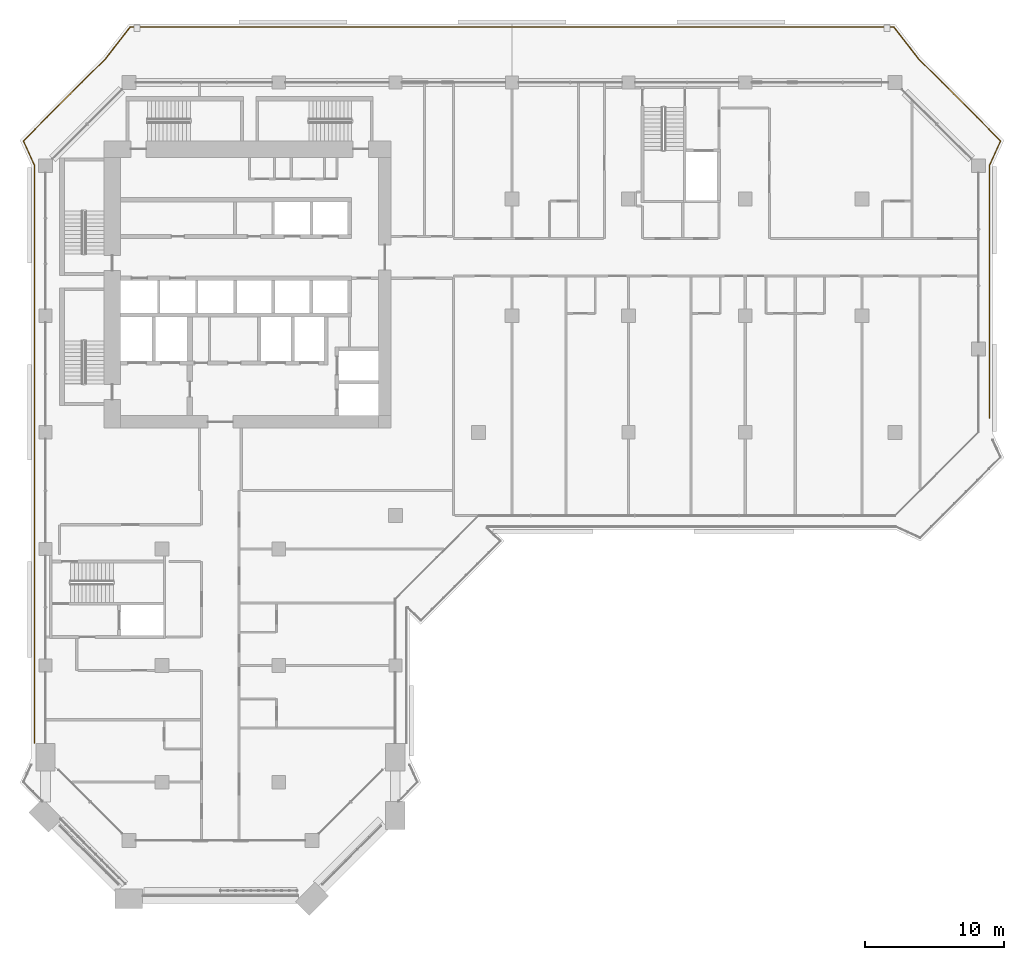
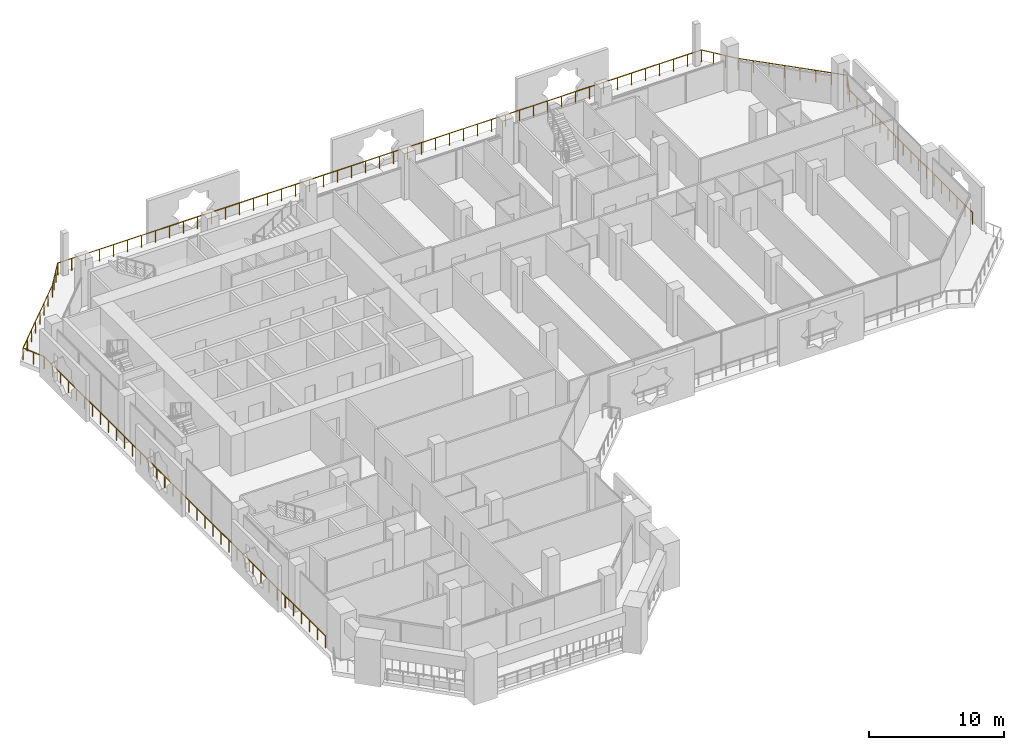
# One storey, part 20 of 22: 1 railing.
"""IFC4 building model written with IfcOpenShell, lengths in metres."""

from ifc_helpers import new_model, si_unit, direction, frame, origin, origin_2d, place, context, subcontext, project, spatial, circle, extrude, material, type_object, element, save


model = new_model("IFC4")

# Units and contexts
model_context = context("Model", 3, precision=1e-05, world=origin(), true_north=direction((0.0, 1.0)))
body_context = subcontext(model_context, "Body", "Model", "MODEL_VIEW")
ifc_project = project(units=[si_unit("LENGTHUNIT", "METRE"), si_unit("AREAUNIT", "SQUARE_METRE"), si_unit("VOLUMEUNIT", "CUBIC_METRE"), si_unit("PLANEANGLEUNIT", "RADIAN"), si_unit("MASSUNIT", "GRAM", prefix="KILO")], contexts=[model_context])

# Site, building, storey
site_placement = place(None, origin())
site = spatial("IfcSite", under=ifc_project, at=site_placement, CompositionType="ELEMENT")
building_placement = place(site_placement, origin())
building = spatial("IfcBuilding", under=site, at=building_placement, Name="Kawkab Arch Medical Tower", CompositionType="ELEMENT")
storey_placement = place(building_placement, frame((0.0, 0.0, 171.0)))
storey = spatial("IfcBuildingStorey", under=building, at=storey_placement, Name="L39", CompositionType="ELEMENT", Elevation=171.0)

# Railing
ifc_material = material(Name="Bronze anodised aluminium guard", Category="aluminium")
railing_type = type_object("IfcRailingType", Name="Loggia and terrace guard 1100", PredefinedType="GUARDRAIL", material=ifc_material)
railing_placement = place(storey_placement, frame((-0.800048828125, -47.570068359375, 0.0)))
element("IfcRailing", 1, at=railing_placement, inside=storey, type_object=railing_type, Name="Guard L39.LOG-01.1.2", PredefinedType="GUARDRAIL", context=body_context, shape_type="SweptSolid", body=[
    extrude(circle(Radius=0.02392578125, at=origin_2d()), frame((0.0, 0.0, 1.076171875), z_axis=(0.0, 1.0, 0.0), x_axis=(-1.0, 0.0, 0.0)), (0.0, 0.0, 1.0), 41.613037109375),
    extrude(circle(Radius=0.02392578125, at=origin_2d()), frame((0.0, 41.613037109375, 1.076171875), z_axis=(-0.414452581809, 0.910070907914, 0.0), x_axis=(-0.910070907914, -0.414452581809, 0.0)), (0.0, 0.0, 1.0), 1.925048828125),
    extrude(circle(Radius=0.02392578125, at=origin_2d()), frame((-0.7978515625, 43.364990234375, 1.076171875), z_axis=(0.707092175918, 0.707121386154, 0.0), x_axis=(-0.707121386154, 0.707092175918, 0.0)), (0.0, 0.0, 1.0), 8.358154296875),
    extrude(circle(Radius=0.02392578125, at=origin_2d()), frame((5.112060546875, 49.275146484375, 1.076171875), z_axis=(0.614144026922, 0.789193964876, 0.0), x_axis=(-0.789193964876, 0.614144026922, 0.0)), (0.0, 0.0, 1.0), 2.907958984375),
    extrude(circle(Radius=0.02392578125, at=origin_2d()), frame((6.89794921875, 51.570068359375, 1.076171875), z_axis=(1.0, 0.0, 0.0), x_axis=(0.0, 1.0, 0.0)), (0.0, 0.0, 1.0), 55.004150390625),
    extrude(circle(Radius=0.02392578125, at=origin_2d()), frame((61.902099609375, 51.570068359375, 1.076171875), z_axis=(0.614144026922, -0.789193964876, 0.0), x_axis=(0.789193964876, 0.614144026922, 0.0)), (0.0, 0.0, 1.0), 2.907958984375),
    extrude(circle(Radius=0.02392578125, at=origin_2d()), frame((63.68798828125, 49.275146484375, 1.076171875), z_axis=(0.707106781187, -0.707106781187, 0.0), x_axis=(0.707106781187, 0.707106781187, 0.0)), (0.0, 0.0, 1.0), 8.358154296875),
    extrude(circle(Radius=0.02392578125, at=origin_2d()), frame((69.59814453125, 43.364990234375, 1.076171875), z_axis=(-0.414557610759, -0.910023069687, 0.0), x_axis=(0.910023069687, -0.414557610759, 0.0)), (0.0, 0.0, 1.0), 1.92529296875),
    extrude(circle(Radius=0.02392578125, at=origin_2d()), frame((68.800048828125, 41.613037109375, 1.076171875), z_axis=(0.0, -1.0, 0.0), x_axis=(1.0, 0.0, 0.0)), (0.0, 0.0, 1.0), 18.212890625),
    extrude(circle(Radius=0.02099609375, at=origin_2d()), origin(), (0.0, 0.0, 1.0), 1.052001953125),
    extrude(circle(Radius=0.02099609375, at=origin_2d()), frame((0.0, 1.18896484375, 0.0)), (0.0, 0.0, 1.0), 1.052001953125),
    extrude(circle(Radius=0.02099609375, at=origin_2d()), frame((0.0, 2.3779296875, 0.0)), (0.0, 0.0, 1.0), 1.052001953125),
    extrude(circle(Radius=0.02099609375, at=origin_2d()), frame((0.0, 3.56689453125, 0.0)), (0.0, 0.0, 1.0), 1.052001953125),
    extrude(circle(Radius=0.02099609375, at=origin_2d()), frame((0.0, 4.755859375, 0.0)), (0.0, 0.0, 1.0), 1.052001953125),
    extrude(circle(Radius=0.02099609375, at=origin_2d()), frame((0.0, 5.94482421875, 0.0)), (0.0, 0.0, 1.0), 1.052001953125),
    extrude(circle(Radius=0.02099609375, at=origin_2d()), frame((0.0, 7.133544921875, 0.0)), (0.0, 0.0, 1.0), 1.052001953125),
    extrude(circle(Radius=0.02099609375, at=origin_2d()), frame((0.0, 8.322509765625, 0.0)), (0.0, 0.0, 1.0), 1.052001953125),
    extrude(circle(Radius=0.02099609375, at=origin_2d()), frame((0.0, 9.511474609375, 0.0)), (0.0, 0.0, 1.0), 1.052001953125),
    extrude(circle(Radius=0.02099609375, at=origin_2d()), frame((0.0, 10.700439453125, 0.0)), (0.0, 0.0, 1.0), 1.052001953125),
    extrude(circle(Radius=0.02099609375, at=origin_2d()), frame((0.0, 11.889404296875, 0.0)), (0.0, 0.0, 1.0), 1.052001953125),
    extrude(circle(Radius=0.02099609375, at=origin_2d()), frame((0.0, 13.078369140625, 0.0)), (0.0, 0.0, 1.0), 1.052001953125),
    extrude(circle(Radius=0.02099609375, at=origin_2d()), frame((0.0, 14.267333984375, 0.0)), (0.0, 0.0, 1.0), 1.052001953125),
    extrude(circle(Radius=0.02099609375, at=origin_2d()), frame((0.0, 15.456298828125, 0.0)), (0.0, 0.0, 1.0), 1.052001953125),
    extrude(circle(Radius=0.02099609375, at=origin_2d()), frame((0.0, 16.645263671875, 0.0)), (0.0, 0.0, 1.0), 1.052001953125),
    extrude(circle(Radius=0.02099609375, at=origin_2d()), frame((0.0, 17.834228515625, 0.0)), (0.0, 0.0, 1.0), 1.052001953125),
    extrude(circle(Radius=0.02099609375, at=origin_2d()), frame((0.0, 19.023193359375, 0.0)), (0.0, 0.0, 1.0), 1.052001953125),
    extrude(circle(Radius=0.02099609375, at=origin_2d()), frame((0.0, 20.212158203125, 0.0)), (0.0, 0.0, 1.0), 1.052001953125),
    extrude(circle(Radius=0.02099609375, at=origin_2d()), frame((0.0, 21.40087890625, 0.0)), (0.0, 0.0, 1.0), 1.052001953125),
    extrude(circle(Radius=0.02099609375, at=origin_2d()), frame((0.0, 22.58984375, 0.0)), (0.0, 0.0, 1.0), 1.052001953125),
    extrude(circle(Radius=0.02099609375, at=origin_2d()), frame((0.0, 23.77880859375, 0.0)), (0.0, 0.0, 1.0), 1.052001953125),
    extrude(circle(Radius=0.02099609375, at=origin_2d()), frame((0.0, 24.9677734375, 0.0)), (0.0, 0.0, 1.0), 1.052001953125),
    extrude(circle(Radius=0.02099609375, at=origin_2d()), frame((0.0, 26.15673828125, 0.0)), (0.0, 0.0, 1.0), 1.052001953125),
    extrude(circle(Radius=0.02099609375, at=origin_2d()), frame((0.0, 27.345703125, 0.0)), (0.0, 0.0, 1.0), 1.052001953125),
    extrude(circle(Radius=0.02099609375, at=origin_2d()), frame((0.0, 28.53466796875, 0.0)), (0.0, 0.0, 1.0), 1.052001953125),
    extrude(circle(Radius=0.02099609375, at=origin_2d()), frame((0.0, 29.7236328125, 0.0)), (0.0, 0.0, 1.0), 1.052001953125),
    extrude(circle(Radius=0.02099609375, at=origin_2d()), frame((0.0, 30.91259765625, 0.0)), (0.0, 0.0, 1.0), 1.052001953125),
    extrude(circle(Radius=0.02099609375, at=origin_2d()), frame((0.0, 32.1015625, 0.0)), (0.0, 0.0, 1.0), 1.052001953125),
    extrude(circle(Radius=0.02099609375, at=origin_2d()), frame((0.0, 33.29052734375, 0.0)), (0.0, 0.0, 1.0), 1.052001953125),
    extrude(circle(Radius=0.02099609375, at=origin_2d()), frame((0.0, 34.4794921875, 0.0)), (0.0, 0.0, 1.0), 1.052001953125),
    extrude(circle(Radius=0.02099609375, at=origin_2d()), frame((0.0, 35.668212890625, 0.0)), (0.0, 0.0, 1.0), 1.052001953125),
    extrude(circle(Radius=0.02099609375, at=origin_2d()), frame((0.0, 36.857177734375, 0.0)), (0.0, 0.0, 1.0), 1.052001953125),
    extrude(circle(Radius=0.02099609375, at=origin_2d()), frame((0.0, 38.046142578125, 0.0)), (0.0, 0.0, 1.0), 1.052001953125),
    extrude(circle(Radius=0.02099609375, at=origin_2d()), frame((0.0, 39.235107421875, 0.0)), (0.0, 0.0, 1.0), 1.052001953125),
    extrude(circle(Radius=0.02099609375, at=origin_2d()), frame((0.0, 40.424072265625, 0.0)), (0.0, 0.0, 1.0), 1.052001953125),
    extrude(circle(Radius=0.02099609375, at=origin_2d()), frame((0.0, 41.613037109375, 0.0)), (0.0, 0.0, 1.0), 1.052001953125),
    extrude(circle(Radius=0.02099609375, at=origin_2d()), frame((-0.39892578125, 42.489013671875, 0.0)), (0.0, 0.0, 1.0), 1.052001953125),
    extrude(circle(Radius=0.02099609375, at=origin_2d()), frame((-0.7978515625, 43.364990234375, 0.0)), (0.0, 0.0, 1.0), 1.052001953125),
    extrude(circle(Radius=0.02099609375, at=origin_2d()), frame((0.04638671875, 44.209228515625, 0.0)), (0.0, 0.0, 1.0), 1.052001953125),
    extrude(circle(Radius=0.02099609375, at=origin_2d()), frame((0.890625, 45.0537109375, 0.0)), (0.0, 0.0, 1.0), 1.052001953125),
    extrude(circle(Radius=0.02099609375, at=origin_2d()), frame((1.73486328125, 45.89794921875, 0.0)), (0.0, 0.0, 1.0), 1.052001953125),
    extrude(circle(Radius=0.02099609375, at=origin_2d()), frame((2.579345703125, 46.7421875, 0.0)), (0.0, 0.0, 1.0), 1.052001953125),
    extrude(circle(Radius=0.02099609375, at=origin_2d()), frame((3.423583984375, 47.58642578125, 0.0)), (0.0, 0.0, 1.0), 1.052001953125),
    extrude(circle(Radius=0.02099609375, at=origin_2d()), frame((4.267822265625, 48.430908203125, 0.0)), (0.0, 0.0, 1.0), 1.052001953125),
    extrude(circle(Radius=0.02099609375, at=origin_2d()), frame((5.112060546875, 49.275146484375, 0.0)), (0.0, 0.0, 1.0), 1.052001953125),
    extrude(circle(Radius=0.02099609375, at=origin_2d()), frame((5.707275390625, 50.0400390625, 0.0)), (0.0, 0.0, 1.0), 1.052001953125),
    extrude(circle(Radius=0.02099609375, at=origin_2d()), frame((6.302734375, 50.80517578125, 0.0)), (0.0, 0.0, 1.0), 1.052001953125),
    extrude(circle(Radius=0.02099609375, at=origin_2d()), frame((6.89794921875, 51.570068359375, 0.0)), (0.0, 0.0, 1.0), 1.052001953125),
    extrude(circle(Radius=0.02099609375, at=origin_2d()), frame((8.09375, 51.570068359375, 0.0)), (0.0, 0.0, 1.0), 1.052001953125),
    extrude(circle(Radius=0.02099609375, at=origin_2d()), frame((9.28955078125, 51.570068359375, 0.0)), (0.0, 0.0, 1.0), 1.052001953125),
    extrude(circle(Radius=0.02099609375, at=origin_2d()), frame((10.485107421875, 51.570068359375, 0.0)), (0.0, 0.0, 1.0), 1.052001953125),
    extrude(circle(Radius=0.02099609375, at=origin_2d()), frame((11.680908203125, 51.570068359375, 0.0)), (0.0, 0.0, 1.0), 1.052001953125),
    extrude(circle(Radius=0.02099609375, at=origin_2d()), frame((12.876708984375, 51.570068359375, 0.0)), (0.0, 0.0, 1.0), 1.052001953125),
    extrude(circle(Radius=0.02099609375, at=origin_2d()), frame((14.072509765625, 51.570068359375, 0.0)), (0.0, 0.0, 1.0), 1.052001953125),
    extrude(circle(Radius=0.02099609375, at=origin_2d()), frame((15.26806640625, 51.570068359375, 0.0)), (0.0, 0.0, 1.0), 1.052001953125),
    extrude(circle(Radius=0.02099609375, at=origin_2d()), frame((16.4638671875, 51.570068359375, 0.0)), (0.0, 0.0, 1.0), 1.052001953125),
    extrude(circle(Radius=0.02099609375, at=origin_2d()), frame((17.65966796875, 51.570068359375, 0.0)), (0.0, 0.0, 1.0), 1.052001953125),
    extrude(circle(Radius=0.02099609375, at=origin_2d()), frame((18.85546875, 51.570068359375, 0.0)), (0.0, 0.0, 1.0), 1.052001953125),
    extrude(circle(Radius=0.02099609375, at=origin_2d()), frame((20.051025390625, 51.570068359375, 0.0)), (0.0, 0.0, 1.0), 1.052001953125),
    extrude(circle(Radius=0.02099609375, at=origin_2d()), frame((21.246826171875, 51.570068359375, 0.0)), (0.0, 0.0, 1.0), 1.052001953125),
    extrude(circle(Radius=0.02099609375, at=origin_2d()), frame((22.442626953125, 51.570068359375, 0.0)), (0.0, 0.0, 1.0), 1.052001953125),
    extrude(circle(Radius=0.02099609375, at=origin_2d()), frame((23.638427734375, 51.570068359375, 0.0)), (0.0, 0.0, 1.0), 1.052001953125),
    extrude(circle(Radius=0.02099609375, at=origin_2d()), frame((24.833984375, 51.570068359375, 0.0)), (0.0, 0.0, 1.0), 1.052001953125),
    extrude(circle(Radius=0.02099609375, at=origin_2d()), frame((26.02978515625, 51.570068359375, 0.0)), (0.0, 0.0, 1.0), 1.052001953125),
    extrude(circle(Radius=0.02099609375, at=origin_2d()), frame((27.2255859375, 51.570068359375, 0.0)), (0.0, 0.0, 1.0), 1.052001953125),
    extrude(circle(Radius=0.02099609375, at=origin_2d()), frame((28.42138671875, 51.570068359375, 0.0)), (0.0, 0.0, 1.0), 1.052001953125),
    extrude(circle(Radius=0.02099609375, at=origin_2d()), frame((29.616943359375, 51.570068359375, 0.0)), (0.0, 0.0, 1.0), 1.052001953125),
    extrude(circle(Radius=0.02099609375, at=origin_2d()), frame((30.812744140625, 51.570068359375, 0.0)), (0.0, 0.0, 1.0), 1.052001953125),
    extrude(circle(Radius=0.02099609375, at=origin_2d()), frame((32.008544921875, 51.570068359375, 0.0)), (0.0, 0.0, 1.0), 1.052001953125),
    extrude(circle(Radius=0.02099609375, at=origin_2d()), frame((33.204345703125, 51.570068359375, 0.0)), (0.0, 0.0, 1.0), 1.052001953125),
    extrude(circle(Radius=0.02099609375, at=origin_2d()), frame((34.39990234375, 51.570068359375, 0.0)), (0.0, 0.0, 1.0), 1.052001953125),
    extrude(circle(Radius=0.02099609375, at=origin_2d()), frame((35.595703125, 51.570068359375, 0.0)), (0.0, 0.0, 1.0), 1.052001953125),
    extrude(circle(Radius=0.02099609375, at=origin_2d()), frame((36.79150390625, 51.570068359375, 0.0)), (0.0, 0.0, 1.0), 1.052001953125),
    extrude(circle(Radius=0.02099609375, at=origin_2d()), frame((37.9873046875, 51.570068359375, 0.0)), (0.0, 0.0, 1.0), 1.052001953125),
    extrude(circle(Radius=0.02099609375, at=origin_2d()), frame((39.18310546875, 51.570068359375, 0.0)), (0.0, 0.0, 1.0), 1.052001953125),
    extrude(circle(Radius=0.02099609375, at=origin_2d()), frame((40.378662109375, 51.570068359375, 0.0)), (0.0, 0.0, 1.0), 1.052001953125),
    extrude(circle(Radius=0.02099609375, at=origin_2d()), frame((41.574462890625, 51.570068359375, 0.0)), (0.0, 0.0, 1.0), 1.052001953125),
    extrude(circle(Radius=0.02099609375, at=origin_2d()), frame((42.770263671875, 51.570068359375, 0.0)), (0.0, 0.0, 1.0), 1.052001953125),
    extrude(circle(Radius=0.02099609375, at=origin_2d()), frame((43.966064453125, 51.570068359375, 0.0)), (0.0, 0.0, 1.0), 1.052001953125),
    extrude(circle(Radius=0.02099609375, at=origin_2d()), frame((45.16162109375, 51.570068359375, 0.0)), (0.0, 0.0, 1.0), 1.052001953125),
    extrude(circle(Radius=0.02099609375, at=origin_2d()), frame((46.357421875, 51.570068359375, 0.0)), (0.0, 0.0, 1.0), 1.052001953125),
    extrude(circle(Radius=0.02099609375, at=origin_2d()), frame((47.55322265625, 51.570068359375, 0.0)), (0.0, 0.0, 1.0), 1.052001953125),
    extrude(circle(Radius=0.02099609375, at=origin_2d()), frame((48.7490234375, 51.570068359375, 0.0)), (0.0, 0.0, 1.0), 1.052001953125),
    extrude(circle(Radius=0.02099609375, at=origin_2d()), frame((49.944580078125, 51.570068359375, 0.0)), (0.0, 0.0, 1.0), 1.052001953125),
    extrude(circle(Radius=0.02099609375, at=origin_2d()), frame((51.140380859375, 51.570068359375, 0.0)), (0.0, 0.0, 1.0), 1.052001953125),
    extrude(circle(Radius=0.02099609375, at=origin_2d()), frame((52.336181640625, 51.570068359375, 0.0)), (0.0, 0.0, 1.0), 1.052001953125),
    extrude(circle(Radius=0.02099609375, at=origin_2d()), frame((53.531982421875, 51.570068359375, 0.0)), (0.0, 0.0, 1.0), 1.052001953125),
    extrude(circle(Radius=0.02099609375, at=origin_2d()), frame((54.7275390625, 51.570068359375, 0.0)), (0.0, 0.0, 1.0), 1.052001953125),
    extrude(circle(Radius=0.02099609375, at=origin_2d()), frame((55.92333984375, 51.570068359375, 0.0)), (0.0, 0.0, 1.0), 1.052001953125),
    extrude(circle(Radius=0.02099609375, at=origin_2d()), frame((57.119140625, 51.570068359375, 0.0)), (0.0, 0.0, 1.0), 1.052001953125),
    extrude(circle(Radius=0.02099609375, at=origin_2d()), frame((58.31494140625, 51.570068359375, 0.0)), (0.0, 0.0, 1.0), 1.052001953125),
    extrude(circle(Radius=0.02099609375, at=origin_2d()), frame((59.510498046875, 51.570068359375, 0.0)), (0.0, 0.0, 1.0), 1.052001953125),
    extrude(circle(Radius=0.02099609375, at=origin_2d()), frame((60.706298828125, 51.570068359375, 0.0)), (0.0, 0.0, 1.0), 1.052001953125),
    extrude(circle(Radius=0.02099609375, at=origin_2d()), frame((61.902099609375, 51.570068359375, 0.0)), (0.0, 0.0, 1.0), 1.052001953125),
    extrude(circle(Radius=0.02099609375, at=origin_2d()), frame((62.497314453125, 50.80517578125, 0.0)), (0.0, 0.0, 1.0), 1.052001953125),
    extrude(circle(Radius=0.02099609375, at=origin_2d()), frame((63.0927734375, 50.0400390625, 0.0)), (0.0, 0.0, 1.0), 1.052001953125),
    extrude(circle(Radius=0.02099609375, at=origin_2d()), frame((63.68798828125, 49.275146484375, 0.0)), (0.0, 0.0, 1.0), 1.052001953125),
    extrude(circle(Radius=0.02099609375, at=origin_2d()), frame((64.5322265625, 48.430908203125, 0.0)), (0.0, 0.0, 1.0), 1.052001953125),
    extrude(circle(Radius=0.02099609375, at=origin_2d()), frame((65.376708984375, 47.58642578125, 0.0)), (0.0, 0.0, 1.0), 1.052001953125),
    extrude(circle(Radius=0.02099609375, at=origin_2d()), frame((66.220947265625, 46.7421875, 0.0)), (0.0, 0.0, 1.0), 1.052001953125),
    extrude(circle(Radius=0.02099609375, at=origin_2d()), frame((67.065185546875, 45.89794921875, 0.0)), (0.0, 0.0, 1.0), 1.052001953125),
    extrude(circle(Radius=0.02099609375, at=origin_2d()), frame((67.909423828125, 45.0537109375, 0.0)), (0.0, 0.0, 1.0), 1.052001953125),
    extrude(circle(Radius=0.02099609375, at=origin_2d()), frame((68.75390625, 44.209228515625, 0.0)), (0.0, 0.0, 1.0), 1.052001953125),
    extrude(circle(Radius=0.02099609375, at=origin_2d()), frame((69.59814453125, 43.364990234375, 0.0)), (0.0, 0.0, 1.0), 1.052001953125),
    extrude(circle(Radius=0.02099609375, at=origin_2d()), frame((69.19921875, 42.489013671875, 0.0)), (0.0, 0.0, 1.0), 1.052001953125),
    extrude(circle(Radius=0.02099609375, at=origin_2d()), frame((68.800048828125, 41.613037109375, 0.0)), (0.0, 0.0, 1.0), 1.052001953125),
    extrude(circle(Radius=0.02099609375, at=origin_2d()), frame((68.800048828125, 40.474609375, 0.0)), (0.0, 0.0, 1.0), 1.052001953125),
    extrude(circle(Radius=0.02099609375, at=origin_2d()), frame((68.800048828125, 39.33642578125, 0.0)), (0.0, 0.0, 1.0), 1.052001953125),
    extrude(circle(Radius=0.02099609375, at=origin_2d()), frame((68.800048828125, 38.1982421875, 0.0)), (0.0, 0.0, 1.0), 1.052001953125),
    extrude(circle(Radius=0.02099609375, at=origin_2d()), frame((68.800048828125, 37.059814453125, 0.0)), (0.0, 0.0, 1.0), 1.052001953125),
    extrude(circle(Radius=0.02099609375, at=origin_2d()), frame((68.800048828125, 35.92138671875, 0.0)), (0.0, 0.0, 1.0), 1.052001953125),
    extrude(circle(Radius=0.02099609375, at=origin_2d()), frame((68.800048828125, 34.783203125, 0.0)), (0.0, 0.0, 1.0), 1.052001953125),
    extrude(circle(Radius=0.02099609375, at=origin_2d()), frame((68.800048828125, 33.64501953125, 0.0)), (0.0, 0.0, 1.0), 1.052001953125),
    extrude(circle(Radius=0.02099609375, at=origin_2d()), frame((68.800048828125, 32.506591796875, 0.0)), (0.0, 0.0, 1.0), 1.052001953125),
    extrude(circle(Radius=0.02099609375, at=origin_2d()), frame((68.800048828125, 31.3681640625, 0.0)), (0.0, 0.0, 1.0), 1.052001953125),
    extrude(circle(Radius=0.02099609375, at=origin_2d()), frame((68.800048828125, 30.22998046875, 0.0)), (0.0, 0.0, 1.0), 1.052001953125),
    extrude(circle(Radius=0.02099609375, at=origin_2d()), frame((68.800048828125, 29.091796875, 0.0)), (0.0, 0.0, 1.0), 1.052001953125),
    extrude(circle(Radius=0.02099609375, at=origin_2d()), frame((68.800048828125, 27.953369140625, 0.0)), (0.0, 0.0, 1.0), 1.052001953125),
    extrude(circle(Radius=0.02099609375, at=origin_2d()), frame((68.800048828125, 26.81494140625, 0.0)), (0.0, 0.0, 1.0), 1.052001953125),
    extrude(circle(Radius=0.02099609375, at=origin_2d()), frame((68.800048828125, 25.6767578125, 0.0)), (0.0, 0.0, 1.0), 1.052001953125),
    extrude(circle(Radius=0.02099609375, at=origin_2d()), frame((68.800048828125, 24.53857421875, 0.0)), (0.0, 0.0, 1.0), 1.052001953125),
    extrude(circle(Radius=0.02099609375, at=origin_2d()), frame((68.800048828125, 23.400146484375, 0.0)), (0.0, 0.0, 1.0), 1.052001953125),
])

save(model, "model.ifc")
